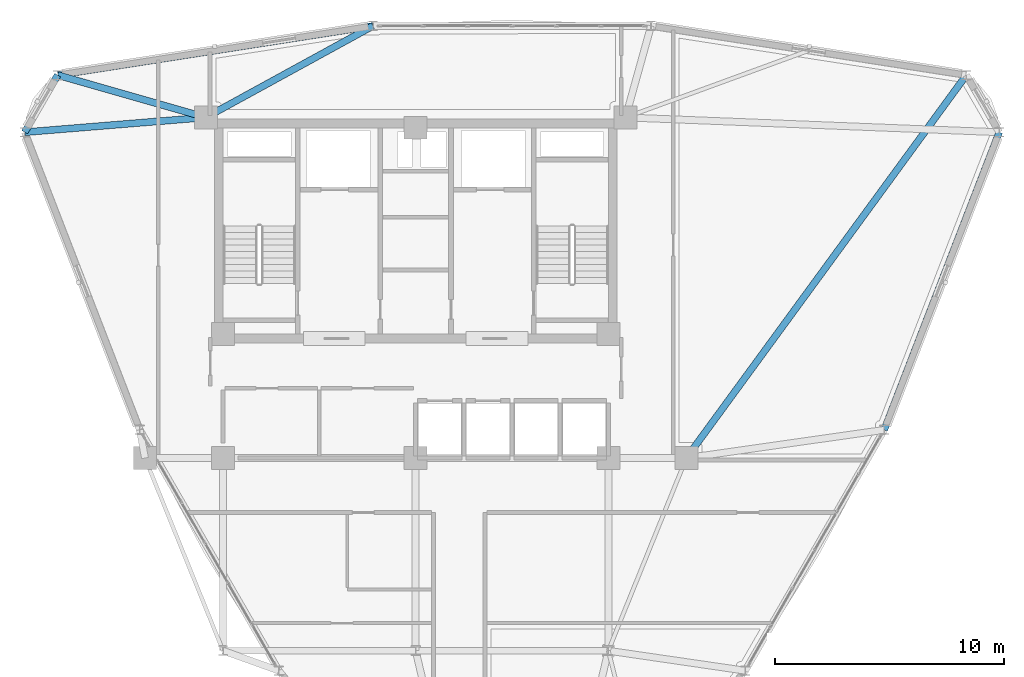
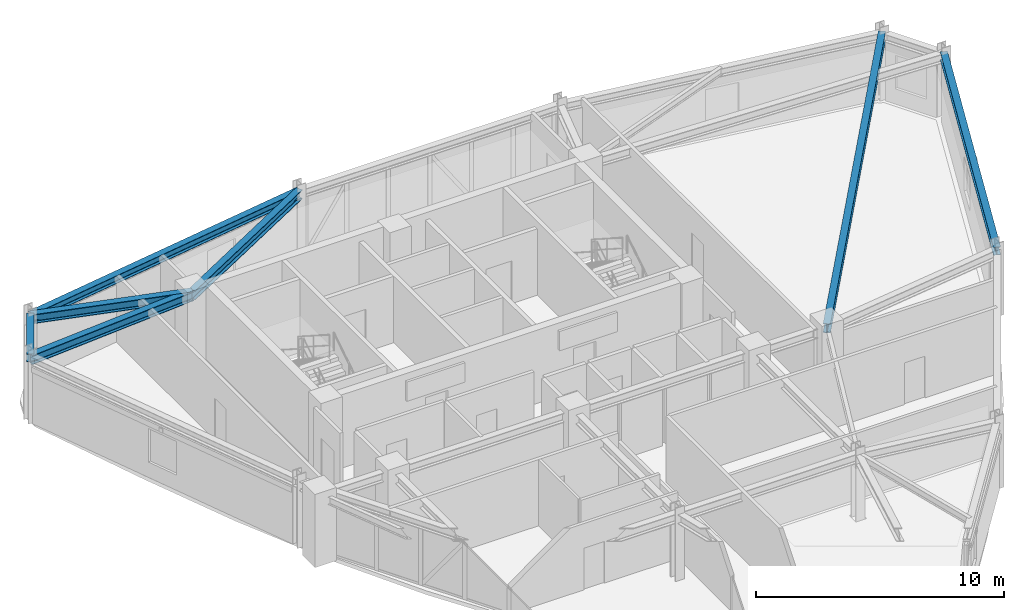
# One storey, part 8 of 16: 7 beams.
"""IFC4 building model written with IfcOpenShell, lengths in metres."""

from ifc_helpers import new_model, si_unit, derived_unit, direction, frame, origin, origin_2d, place, context, subcontext, project, spatial, i_section, extrude, source, transform, mapped, material, material_profile, profile_set, type_object, element, save


model = new_model("IFC4")

# Units and contexts
model_context = context("Model", 3, precision=1e-05, world=origin(), true_north=direction((0.0, 1.0)))
body_context = subcontext(model_context, "Body", "Model", "MODEL_VIEW")
ifc_project = project(units=[si_unit("LENGTHUNIT", "METRE"), si_unit("AREAUNIT", "SQUARE_METRE"), si_unit("VOLUMEUNIT", "CUBIC_METRE"), si_unit("PLANEANGLEUNIT", "RADIAN"), si_unit("MASSUNIT", "GRAM", prefix="KILO"), derived_unit("THERMALTRANSMITTANCEUNIT", [(si_unit("POWERUNIT", "WATT"), 1), (si_unit("LENGTHUNIT", "METRE"), -2), (si_unit("THERMODYNAMICTEMPERATUREUNIT", "KELVIN"), -1)])], contexts=[model_context])

# Site, building, storey
site_placement = place(None, origin())
site = spatial("IfcSite", under=ifc_project, at=site_placement, CompositionType="ELEMENT")
building_placement = place(site_placement, origin())
building = spatial("IfcBuilding", under=site, at=building_placement, Name="Korsvarv Bourse and Concert Hall", CompositionType="ELEMENT")
storey_placement = place(building_placement, frame((0.0, 0.0, 234.60009765625)))
storey = spatial("IfcBuildingStorey", under=building, at=storey_placement, Name="L61", CompositionType="ELEMENT", Elevation=234.60009765625)

# Beams
ifc_material = material(Name="Steel S355", Category="steel")
ifc_material_profile_1 = material_profile(ifc_material, i_section(OverallWidth=0.300048828125, OverallDepth=0.389892578125, WebThickness=0.010986328125, FlangeThickness=0.01904296875, FilletRadius=0.02099609375, at=origin_2d()), Name="HEA 400")
ifc_profile_set_1 = profile_set([ifc_material_profile_1], Name="Steel S355")
beam_type_1 = type_object("IfcBeamType", Name="BM-HEA400", PredefinedType="BEAM", material=ifc_profile_set_1)
shared_shape_1 = source(origin(), body_context, "Body", "SweptSolid", [
    extrude(i_section(OverallWidth=0.300048828125, OverallDepth=0.389892578125, WebThickness=0.010986328125, FlangeThickness=0.01904296875, FilletRadius=0.02099609375, at=origin_2d()), origin(), (0.0, 0.0, 1.0), 13.9130859375),
])
for number, where, z_axis, x_axis, name in (
    (1, (34.13818359375, 51.2412109375, 3.06494140625), (-0.988060495493, -0.154066405314, 0.0), (0.154066405314, -0.988060495493, 0.0), "L61 beam B-11"),
    (2, (56.43017578125, 33.629150390625, 3.06494140625), (0.360601228737, 0.932720083323, 0.0), (-0.932720083323, 0.360601228737, 0.0), "L61 beam B-11"),
):
    element("IfcBeam", number, at=place(storey_placement, frame(where, z_axis=z_axis, x_axis=x_axis)), inside=storey, type_object=beam_type_1, Name=name, PredefinedType="BEAM", context=body_context, shape_type="MappedRepresentation", body=[
        mapped(shared_shape_1, transform((0.0, 0.0, 0.0), scale=1.0)),
    ])
shared_shape_2 = source(origin(), body_context, "Body", "SweptSolid", [
    extrude(i_section(OverallWidth=0.300048828125, OverallDepth=0.389892578125, WebThickness=0.010986328125, FlangeThickness=0.01904296875, FilletRadius=0.02099609375, at=origin_2d()), origin(), (0.0, 0.0, 1.0), 2.876953125),
])
beam_1_placement = place(storey_placement, frame((20.39111328125, 49.09765625, 3.06494140625), z_axis=(-0.500008942529, -0.866020240751, 0.0), x_axis=(0.866020240751, -0.500008942529, 0.0)))
element("IfcBeam", 3, at=beam_1_placement, inside=storey, type_object=beam_type_1, Name="L61 beam B-11", PredefinedType="BEAM", context=body_context, shape_type="MappedRepresentation", body=[
    mapped(shared_shape_2, transform((0.0, 0.0, 0.0), scale=1.0)),
])
ifc_material_profile_2 = material_profile(ifc_material, i_section(OverallWidth=0.300048828125, OverallDepth=0.449951171875, WebThickness=0.013916015625, FlangeThickness=0.02587890625, FilletRadius=0.02099609375, at=origin_2d()), Name="HEB 450")
ifc_profile_set_2 = profile_set([ifc_material_profile_2], Name="Steel S355")
beam_type_2 = type_object("IfcBeamType", Name="BM-HEB450", PredefinedType="SPANDREL", material=ifc_profile_set_2)
shared_shape_3 = source(origin(), body_context, "Body", "SweptSolid", [
    extrude(i_section(OverallWidth=0.300048828125, OverallDepth=0.449951171875, WebThickness=0.013916015625, FlangeThickness=0.02587890625, FilletRadius=0.02099609375, at=origin_2d()), origin(), (0.0, 0.0, 1.0), 20.68505859375),
])
beam_2_placement = place(storey_placement, frame((60.009033203125, 49.09765625, 3.034912109375), z_axis=(-0.590230224022, -0.807234961242, 0.0), x_axis=(0.807234961242, -0.590230224022, 0.0)))
element("IfcBeam", 4, at=beam_2_placement, inside=storey, type_object=beam_type_2, Name="L61 beam B-08", PredefinedType="SPANDREL", context=body_context, shape_type="MappedRepresentation", body=[
    mapped(shared_shape_3, transform((0.0, 0.0, 0.0), scale=1.0)),
])
shared_shape_4 = source(origin(), body_context, "Body", "SweptSolid", [
    extrude(i_section(OverallWidth=0.300048828125, OverallDepth=0.449951171875, WebThickness=0.013916015625, FlangeThickness=0.02587890625, FilletRadius=0.02099609375, at=origin_2d()), origin(), (0.0, 0.0, 1.0), 8.309326171875),
])
beam_3_placement = place(storey_placement, frame((34.13818359375, 51.2412109375, 3.034912109375), z_axis=(-0.877090373578, -0.480325386147, 0.0), x_axis=(0.480325386147, -0.877090373578, 0.0)))
element("IfcBeam", 5, at=beam_3_placement, inside=storey, type_object=beam_type_2, Name="L61 beam B-08", PredefinedType="SPANDREL", context=body_context, shape_type="MappedRepresentation", body=[
    mapped(shared_shape_4, transform((0.0, 0.0, 0.0), scale=1.0)),
])
shared_shape_5 = source(origin(), body_context, "Body", "SweptSolid", [
    extrude(i_section(OverallWidth=0.300048828125, OverallDepth=0.449951171875, WebThickness=0.013916015625, FlangeThickness=0.02587890625, FilletRadius=0.02099609375, at=origin_2d()), origin(), (0.0, 0.0, 1.0), 6.718017578125),
])
beam_4_placement = place(storey_placement, frame((20.39111328125, 49.09765625, 3.034912109375), z_axis=(0.961436131753, -0.275028297744, 0.0), x_axis=(0.275028297744, 0.961436131753, 0.0)))
element("IfcBeam", 6, at=beam_4_placement, inside=storey, type_object=beam_type_2, Name="L61 beam B-08", PredefinedType="SPANDREL", context=body_context, shape_type="MappedRepresentation", body=[
    mapped(shared_shape_5, transform((0.0, 0.0, 0.0), scale=1.0)),
])
shared_shape_6 = source(origin(), body_context, "Body", "SweptSolid", [
    extrude(i_section(OverallWidth=0.300048828125, OverallDepth=0.449951171875, WebThickness=0.013916015625, FlangeThickness=0.02587890625, FilletRadius=0.02099609375, at=origin_2d()), origin(), (0.0, 0.0, 1.0), 7.923583984375),
])
beam_5_placement = place(storey_placement, frame((18.95263671875, 46.606201171875, 3.034912109375), z_axis=(0.996693737026, 0.08125019737, 0.0), x_axis=(-0.08125019737, 0.996693737026, 0.0)))
element("IfcBeam", 7, at=beam_5_placement, inside=storey, type_object=beam_type_2, Name="L61 beam B-08", PredefinedType="SPANDREL", context=body_context, shape_type="MappedRepresentation", body=[
    mapped(shared_shape_6, transform((0.0, 0.0, 0.0), scale=1.0)),
])

save(model, "model.ifc")
